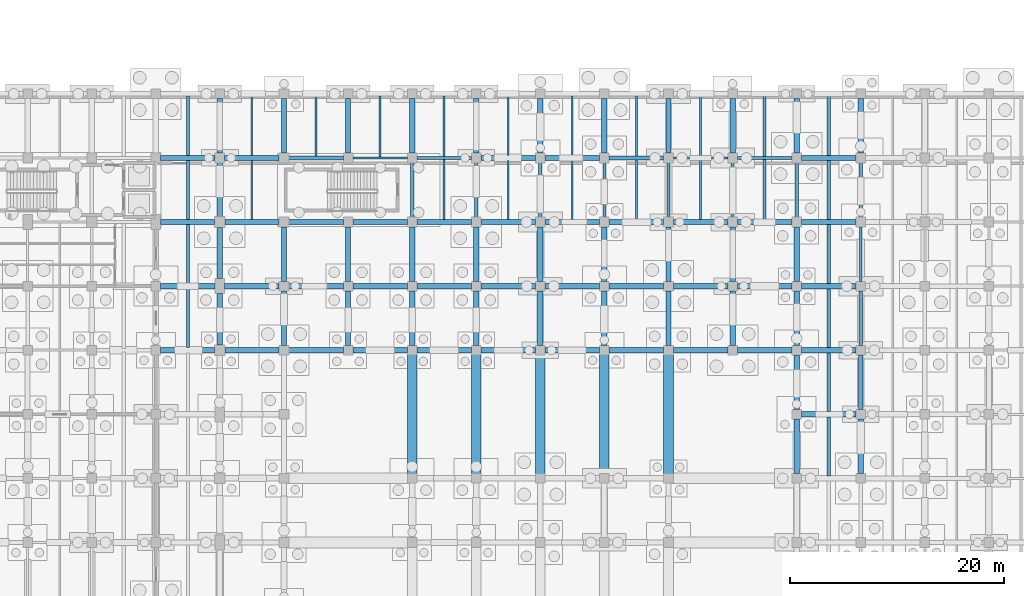
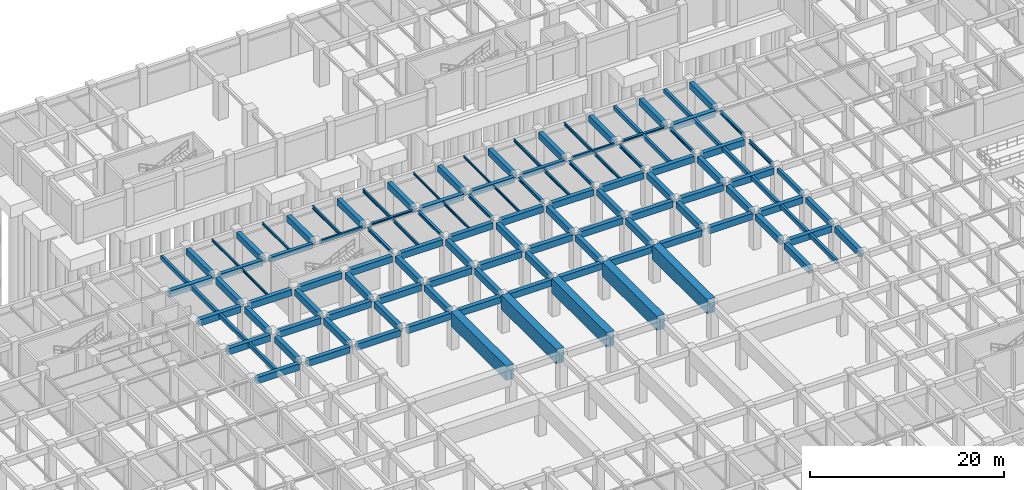
# One storey, part 32 of 54: 122 beams.
"""IFC4 building model written with IfcOpenShell, lengths in metres."""

from ifc_helpers import new_model, si_unit, direction, frame, origin, origin_2d, place, context, subcontext, project, spatial, rectangle, i_section, extrude, material, material_profile, profile_set, type_object, element, save


model = new_model("IFC4")

# Units and contexts
model_context = context("Model", 3, precision=1e-05, world=origin(), true_north=direction((0.0, 1.0)))
body_context = subcontext(model_context, "Body", "Model", "MODEL_VIEW")
ifc_project = project(units=[si_unit("LENGTHUNIT", "METRE"), si_unit("AREAUNIT", "SQUARE_METRE"), si_unit("VOLUMEUNIT", "CUBIC_METRE"), si_unit("PLANEANGLEUNIT", "RADIAN"), si_unit("MASSUNIT", "GRAM", prefix="KILO"), si_unit("THERMODYNAMICTEMPERATUREUNIT", "KELVIN"), si_unit("POWERUNIT", "WATT")], contexts=[model_context])

# Site, building, storey
site_placement = place(None, origin())
site = spatial("IfcSite", under=ifc_project, at=site_placement, CompositionType="ELEMENT")
building_placement = place(site_placement, origin())
building = spatial("IfcBuilding", under=site, at=building_placement, Name="Phaisarnlok Congress Hotel", CompositionType="ELEMENT")
storey_placement = place(building_placement, frame((0.0, 0.0, -4.800048828125)))
storey = spatial("IfcBuildingStorey", under=building, at=storey_placement, Name="B01", CompositionType="ELEMENT", Elevation=-4.800048828125)

# Beams
ifc_material_1 = material(Name="Concrete C40/50", Category="concrete")
ifc_material_profile_1 = material_profile(ifc_material_1, rectangle(XDim=0.35009765625, YDim=0.550048828125, at=origin_2d()), Name="RC 350x550")
ifc_profile_set_1 = profile_set([ifc_material_profile_1], Name="Concrete C40/50")
beam_type_1 = type_object("IfcBeamType", Name="BM-RC-350x550", PredefinedType="BEAM", material=ifc_profile_set_1)
beam_1_placement = place(storey_placement, frame((126.0, 72.445068359375, 4.22509765625), z_axis=(0.0, 1.0, 0.0), x_axis=(-1.0, 0.0, 0.0)))
element("IfcBeam", 1, at=beam_1_placement, inside=storey, type_object=beam_type_1, Name="Beam B-01", PredefinedType="BEAM", context=body_context, shape_type="SweptSolid", body=[
    extrude(rectangle(XDim=0.35009765625, YDim=0.550048828125, at=origin_2d()), origin(), (0.0, 0.0, 1.0), 5.10986328125),
])
ifc_material_profile_2 = material_profile(ifc_material_1, rectangle(XDim=0.39990234375, YDim=0.60009765625, at=origin_2d()), Name="RC 400x600")
ifc_profile_set_2 = profile_set([ifc_material_profile_2], Name="Concrete C40/50")
beam_type_2 = type_object("IfcBeamType", Name="BM-RC-400x600", PredefinedType="BEAM", material=ifc_profile_set_2)
for number, where, z_axis, x_axis, name in (
    (2, (72.445068359375, 90.0, 4.199951171875), (1.0, 0.0, 0.0), (0.0, 1.0, 0.0), "Beam B-02"),
    (3, (102.445068359375, 90.0, 4.199951171875), (1.0, 0.0, 0.0), (0.0, 1.0, 0.0), "Beam B-02"),
):
    element("IfcBeam", number, at=place(storey_placement, frame(where, z_axis=z_axis, x_axis=x_axis)), inside=storey, type_object=beam_type_2, Name=name, PredefinedType="BEAM", context=body_context, shape_type="SweptSolid", body=[
        extrude(rectangle(XDim=0.39990234375, YDim=0.60009765625, at=origin_2d()), origin(), (0.0, 0.0, 1.0), 5.10986328125),
    ])
ifc_material_profile_3 = material_profile(ifc_material_1, rectangle(XDim=0.449951171875, YDim=0.699951171875, at=origin_2d()), Name="RC 450x700")
ifc_profile_set_3 = profile_set([ifc_material_profile_3], Name="Concrete C40/50")
beam_type_3 = type_object("IfcBeamType", Name="BM-RC-450x700", PredefinedType="BEAM", material=ifc_profile_set_3)
for number, where, z_axis, x_axis, name in (
    (4, (66.445068359375, 90.0, 4.150146484375), (1.0, 0.0, 0.0), (0.0, 1.0, 0.0), "Beam B-03"),
    (5, (96.445068359375, 90.0, 4.150146484375), (1.0, 0.0, 0.0), (0.0, 1.0, 0.0), "Beam B-03"),
    (6, (126.0, 66.445068359375, 4.150146484375), (0.0, 1.0, 0.0), (-1.0, 0.0, 0.0), "Beam B-03"),
):
    element("IfcBeam", number, at=place(storey_placement, frame(where, z_axis=z_axis, x_axis=x_axis)), inside=storey, type_object=beam_type_3, Name=name, PredefinedType="BEAM", context=body_context, shape_type="SweptSolid", body=[
        extrude(rectangle(XDim=0.449951171875, YDim=0.699951171875, at=origin_2d()), origin(), (0.0, 0.0, 1.0), 5.10986328125),
    ])
ifc_material_profile_4 = material_profile(ifc_material_1, rectangle(XDim=0.5, YDim=0.800048828125, at=origin_2d()), Name="RC 500x800")
ifc_profile_set_4 = profile_set([ifc_material_profile_4], Name="Concrete C40/50")
beam_type_4 = type_object("IfcBeamType", Name="BM-RC-500x800", PredefinedType="BEAM", material=ifc_profile_set_4)
beam_2_placement = place(storey_placement, frame((60.445068359375, 72.0, 4.10009765625), z_axis=(1.0, 0.0, 0.0), x_axis=(0.0, 1.0, 0.0)))
element("IfcBeam", 7, at=beam_2_placement, inside=storey, type_object=beam_type_4, Name="Beam B-04", PredefinedType="BEAM", context=body_context, shape_type="SweptSolid", body=[
    extrude(rectangle(XDim=0.5, YDim=0.800048828125, at=origin_2d()), origin(), (0.0, 0.0, 1.0), 5.059814453125),
])
beam_3_placement = place(storey_placement, frame((60.445068359375, 78.0, 4.10009765625), z_axis=(1.0, 0.0, 0.0), x_axis=(0.0, 1.0, 0.0)))
element("IfcBeam", 8, at=beam_3_placement, inside=storey, type_object=beam_type_4, Name="Beam B-04", PredefinedType="BEAM", context=body_context, shape_type="SweptSolid", body=[
    extrude(rectangle(XDim=0.5, YDim=0.800048828125, at=origin_2d()), origin(), (0.0, 0.0, 1.0), 5.10986328125),
])
beam_4_placement = place(storey_placement, frame((60.445068359375, 84.0, 4.10009765625), z_axis=(1.0, 0.0, 0.0), x_axis=(0.0, 1.0, 0.0)))
element("IfcBeam", 9, at=beam_4_placement, inside=storey, type_object=beam_type_4, Name="Beam B-04", PredefinedType="BEAM", context=body_context, shape_type="SweptSolid", body=[
    extrude(rectangle(XDim=0.5, YDim=0.800048828125, at=origin_2d()), origin(), (0.0, 0.0, 1.0), 5.059814453125),
])
beam_5_placement = place(storey_placement, frame((60.445068359375, 90.0, 4.10009765625), z_axis=(1.0, 0.0, 0.0), x_axis=(0.0, 1.0, 0.0)))
element("IfcBeam", 10, at=beam_5_placement, inside=storey, type_object=beam_type_4, Name="Beam B-04", PredefinedType="BEAM", context=body_context, shape_type="SweptSolid", body=[
    extrude(rectangle(XDim=0.5, YDim=0.800048828125, at=origin_2d()), origin(), (0.0, 0.0, 1.0), 5.10986328125),
])
beam_6_placement = place(storey_placement, frame((66.4951171875, 72.0, 4.150146484375), z_axis=(1.0, 0.0, 0.0), x_axis=(0.0, 1.0, 0.0)))
element("IfcBeam", 11, at=beam_6_placement, inside=storey, type_object=beam_type_4, Name="Beam B-04", PredefinedType="BEAM", context=body_context, shape_type="SweptSolid", body=[
    extrude(rectangle(XDim=0.5, YDim=0.800048828125, at=origin_2d()), origin(), (0.0, 0.0, 1.0), 5.059814453125),
])
beam_7_placement = place(storey_placement, frame((66.0, 72.4951171875, 4.10009765625), z_axis=(0.0, 1.0, 0.0), x_axis=(-1.0, 0.0, 0.0)))
element("IfcBeam", 12, at=beam_7_placement, inside=storey, type_object=beam_type_4, Name="Beam B-04", PredefinedType="BEAM", context=body_context, shape_type="SweptSolid", body=[
    extrude(rectangle(XDim=0.5, YDim=0.800048828125, at=origin_2d()), origin(), (0.0, 0.0, 1.0), 4.809814453125),
])
beam_8_placement = place(storey_placement, frame((66.445068359375, 78.0, 4.150146484375), z_axis=(1.0, 0.0, 0.0), x_axis=(0.0, 1.0, 0.0)))
element("IfcBeam", 13, at=beam_8_placement, inside=storey, type_object=beam_type_4, Name="Beam B-04", PredefinedType="BEAM", context=body_context, shape_type="SweptSolid", body=[
    extrude(rectangle(XDim=0.5, YDim=0.800048828125, at=origin_2d()), origin(), (0.0, 0.0, 1.0), 5.10986328125),
])
beam_9_placement = place(storey_placement, frame((66.0, 78.695068359375, 4.10009765625), z_axis=(0.0, 1.0, 0.0), x_axis=(-1.0, 0.0, 0.0)))
element("IfcBeam", 14, at=beam_9_placement, inside=storey, type_object=beam_type_4, Name="Beam B-04", PredefinedType="BEAM", context=body_context, shape_type="SweptSolid", body=[
    extrude(rectangle(XDim=0.5, YDim=0.800048828125, at=origin_2d()), origin(), (0.0, 0.0, 1.0), 4.809814453125),
])
for number, where, z_axis, x_axis, name in (
    (15, (66.4951171875, 84.0, 4.10009765625), (1.0, 0.0, 0.0), (0.0, 1.0, 0.0), "Beam B-04"),
    (16, (66.0, 84.4951171875, 4.10009765625), (0.0, 1.0, 0.0), (-1.0, 0.0, 0.0), "Beam B-04"),
):
    element("IfcBeam", number, at=place(storey_placement, frame(where, z_axis=z_axis, x_axis=x_axis)), inside=storey, type_object=beam_type_4, Name=name, PredefinedType="BEAM", context=body_context, shape_type="SweptSolid", body=[
        extrude(rectangle(XDim=0.5, YDim=0.800048828125, at=origin_2d()), origin(), (0.0, 0.0, 1.0), 5.059814453125),
    ])
for number, where, z_axis, x_axis, name in (
    (17, (66.0, 90.445068359375, 4.10009765625), (0.0, 1.0, 0.0), (-1.0, 0.0, 0.0), "Beam B-04"),
    (18, (72.445068359375, 72.0, 4.150146484375), (1.0, 0.0, 0.0), (0.0, 1.0, 0.0), "Beam B-04"),
    (19, (72.0, 72.445068359375, 4.150146484375), (0.0, 1.0, 0.0), (-1.0, 0.0, 0.0), "Beam B-04"),
    (20, (72.445068359375, 78.0, 4.150146484375), (1.0, 0.0, 0.0), (0.0, 1.0, 0.0), "Beam B-04"),
    (21, (72.0, 78.445068359375, 4.150146484375), (0.0, 1.0, 0.0), (-1.0, 0.0, 0.0), "Beam B-04"),
    (22, (72.445068359375, 84.0, 4.10009765625), (1.0, 0.0, 0.0), (0.0, 1.0, 0.0), "Beam B-04"),
    (23, (72.0, 90.445068359375, 4.10009765625), (0.0, 1.0, 0.0), (-1.0, 0.0, 0.0), "Beam B-04"),
    (24, (78.445068359375, 72.0, 4.150146484375), (1.0, 0.0, 0.0), (0.0, 1.0, 0.0), "Beam B-04"),
    (25, (78.0, 72.445068359375, 4.150146484375), (0.0, 1.0, 0.0), (-1.0, 0.0, 0.0), "Beam B-04"),
    (26, (78.445068359375, 78.0, 4.150146484375), (1.0, 0.0, 0.0), (0.0, 1.0, 0.0), "Beam B-04"),
    (27, (78.0, 78.445068359375, 4.150146484375), (0.0, 1.0, 0.0), (-1.0, 0.0, 0.0), "Beam B-04"),
    (28, (78.445068359375, 84.0, 4.10009765625), (1.0, 0.0, 0.0), (0.0, 1.0, 0.0), "Beam B-04"),
    (29, (78.0, 90.445068359375, 4.10009765625), (0.0, 1.0, 0.0), (-1.0, 0.0, 0.0), "Beam B-04"),
    (30, (84.445068359375, 72.0, 4.150146484375), (1.0, 0.0, 0.0), (0.0, 1.0, 0.0), "Beam B-04"),
    (31, (84.0, 72.445068359375, 4.150146484375), (0.0, 1.0, 0.0), (-1.0, 0.0, 0.0), "Beam B-04"),
    (32, (84.445068359375, 78.0, 4.150146484375), (1.0, 0.0, 0.0), (0.0, 1.0, 0.0), "Beam B-04"),
    (33, (84.0, 78.445068359375, 4.150146484375), (0.0, 1.0, 0.0), (-1.0, 0.0, 0.0), "Beam B-04"),
    (34, (84.445068359375, 84.0, 4.10009765625), (1.0, 0.0, 0.0), (0.0, 1.0, 0.0), "Beam B-04"),
    (35, (84.0, 90.445068359375, 4.10009765625), (0.0, 1.0, 0.0), (-1.0, 0.0, 0.0), "Beam B-04"),
    (36, (90.445068359375, 72.0, 4.150146484375), (1.0, 0.0, 0.0), (0.0, 1.0, 0.0), "Beam B-04"),
    (37, (90.0, 72.445068359375, 4.150146484375), (0.0, 1.0, 0.0), (-1.0, 0.0, 0.0), "Beam B-04"),
    (38, (90.445068359375, 78.0, 4.150146484375), (1.0, 0.0, 0.0), (0.0, 1.0, 0.0), "Beam B-04"),
    (39, (90.0, 78.445068359375, 4.150146484375), (0.0, 1.0, 0.0), (-1.0, 0.0, 0.0), "Beam B-04"),
    (40, (90.445068359375, 84.0, 4.10009765625), (1.0, 0.0, 0.0), (0.0, 1.0, 0.0), "Beam B-04"),
    (41, (90.445068359375, 90.0, 4.10009765625), (1.0, 0.0, 0.0), (0.0, 1.0, 0.0), "Beam B-04"),
    (42, (90.0, 90.445068359375, 4.10009765625), (0.0, 1.0, 0.0), (-1.0, 0.0, 0.0), "Beam B-04"),
    (43, (96.445068359375, 72.0, 4.150146484375), (1.0, 0.0, 0.0), (0.0, 1.0, 0.0), "Beam B-04"),
    (44, (96.0, 72.445068359375, 4.150146484375), (0.0, 1.0, 0.0), (-1.0, 0.0, 0.0), "Beam B-04"),
    (45, (96.445068359375, 78.0, 4.150146484375), (1.0, 0.0, 0.0), (0.0, 1.0, 0.0), "Beam B-04"),
    (46, (96.0, 78.445068359375, 4.150146484375), (0.0, 1.0, 0.0), (-1.0, 0.0, 0.0), "Beam B-04"),
    (47, (96.445068359375, 84.0, 4.10009765625), (1.0, 0.0, 0.0), (0.0, 1.0, 0.0), "Beam B-04"),
    (48, (96.0, 90.445068359375, 4.10009765625), (0.0, 1.0, 0.0), (-1.0, 0.0, 0.0), "Beam B-04"),
    (49, (102.445068359375, 72.0, 4.150146484375), (1.0, 0.0, 0.0), (0.0, 1.0, 0.0), "Beam B-04"),
    (50, (102.0, 72.445068359375, 4.150146484375), (0.0, 1.0, 0.0), (-1.0, 0.0, 0.0), "Beam B-04"),
    (51, (102.445068359375, 78.0, 4.150146484375), (1.0, 0.0, 0.0), (0.0, 1.0, 0.0), "Beam B-04"),
    (52, (102.0, 78.445068359375, 4.150146484375), (0.0, 1.0, 0.0), (-1.0, 0.0, 0.0), "Beam B-04"),
    (53, (102.445068359375, 84.0, 4.10009765625), (1.0, 0.0, 0.0), (0.0, 1.0, 0.0), "Beam B-04"),
    (54, (102.0, 90.445068359375, 4.10009765625), (0.0, 1.0, 0.0), (-1.0, 0.0, 0.0), "Beam B-04"),
    (55, (108.445068359375, 72.0, 4.150146484375), (1.0, 0.0, 0.0), (0.0, 1.0, 0.0), "Beam B-04"),
    (56, (108.0, 72.445068359375, 4.150146484375), (0.0, 1.0, 0.0), (-1.0, 0.0, 0.0), "Beam B-04"),
    (57, (108.445068359375, 78.0, 4.150146484375), (1.0, 0.0, 0.0), (0.0, 1.0, 0.0), "Beam B-04"),
    (58, (108.0, 78.445068359375, 4.150146484375), (0.0, 1.0, 0.0), (-1.0, 0.0, 0.0), "Beam B-04"),
    (59, (108.445068359375, 84.0, 4.10009765625), (1.0, 0.0, 0.0), (0.0, 1.0, 0.0), "Beam B-04"),
    (60, (108.0, 90.445068359375, 4.10009765625), (0.0, 1.0, 0.0), (-1.0, 0.0, 0.0), "Beam B-04"),
    (61, (114.445068359375, 72.0, 4.150146484375), (1.0, 0.0, 0.0), (0.0, 1.0, 0.0), "Beam B-04"),
    (62, (114.0, 72.445068359375, 4.150146484375), (0.0, 1.0, 0.0), (-1.0, 0.0, 0.0), "Beam B-04"),
    (63, (114.445068359375, 78.0, 4.150146484375), (1.0, 0.0, 0.0), (0.0, 1.0, 0.0), "Beam B-04"),
    (64, (114.0, 78.445068359375, 4.150146484375), (0.0, 1.0, 0.0), (-1.0, 0.0, 0.0), "Beam B-04"),
    (65, (114.445068359375, 84.0, 4.10009765625), (1.0, 0.0, 0.0), (0.0, 1.0, 0.0), "Beam B-04"),
    (66, (114.0, 90.445068359375, 4.10009765625), (0.0, 1.0, 0.0), (-1.0, 0.0, 0.0), "Beam B-04"),
    (67, (120.0, 60.445068359375, 4.10009765625), (0.0, 1.0, 0.0), (-1.0, 0.0, 0.0), "Beam B-04"),
    (68, (120.445068359375, 66.0, 4.10009765625), (1.0, 0.0, 0.0), (0.0, 1.0, 0.0), "Beam B-04"),
    (69, (120.0, 66.445068359375, 4.10009765625), (0.0, 1.0, 0.0), (-1.0, 0.0, 0.0), "Beam B-04"),
    (70, (120.445068359375, 72.0, 4.10009765625), (1.0, 0.0, 0.0), (0.0, 1.0, 0.0), "Beam B-04"),
    (71, (120.0, 72.445068359375, 4.10009765625), (0.0, 1.0, 0.0), (-1.0, 0.0, 0.0), "Beam B-04"),
    (72, (120.445068359375, 78.0, 4.10009765625), (1.0, 0.0, 0.0), (0.0, 1.0, 0.0), "Beam B-04"),
    (73, (120.0, 78.445068359375, 4.10009765625), (0.0, 1.0, 0.0), (-1.0, 0.0, 0.0), "Beam B-04"),
    (74, (120.445068359375, 84.0, 4.10009765625), (1.0, 0.0, 0.0), (0.0, 1.0, 0.0), "Beam B-04"),
    (75, (120.445068359375, 90.0, 4.10009765625), (1.0, 0.0, 0.0), (0.0, 1.0, 0.0), "Beam B-04"),
    (76, (120.0, 90.445068359375, 4.10009765625), (0.0, 1.0, 0.0), (-1.0, 0.0, 0.0), "Beam B-04"),
    (77, (126.0, 60.445068359375, 4.10009765625), (0.0, 1.0, 0.0), (-1.0, 0.0, 0.0), "Beam B-04"),
    (78, (126.0, 90.445068359375, 4.10009765625), (0.0, 1.0, 0.0), (-1.0, 0.0, 0.0), "Beam B-04"),
):
    element("IfcBeam", number, at=place(storey_placement, frame(where, z_axis=z_axis, x_axis=x_axis)), inside=storey, type_object=beam_type_4, Name=name, PredefinedType="BEAM", context=body_context, shape_type="SweptSolid", body=[
        extrude(rectangle(XDim=0.5, YDim=0.800048828125, at=origin_2d()), origin(), (0.0, 0.0, 1.0), 5.10986328125),
    ])
ifc_material_2 = material(Name="Steel S355", Category="steel")
ifc_material_profile_5 = material_profile(ifc_material_2, i_section(OverallWidth=0.300048828125, OverallDepth=0.2900390625, WebThickness=0.008544921875, FlangeThickness=0.013916015625, FilletRadius=0.027099609375, at=origin_2d()), Name="HEA 300")
ifc_profile_set_5 = profile_set([ifc_material_profile_5], Name="Steel S355")
beam_type_5 = type_object("IfcBeamType", Name="BM-STL-HEA300", PredefinedType="BEAM", material=ifc_profile_set_5)
for number, where, z_axis, x_axis, name in (
    (79, (84.445068359375, 90.0, 4.35498046875), (1.0, 0.0, 0.0), (0.0, 1.0, 0.0), "Beam SB-05"),
    (80, (114.445068359375, 90.0, 4.35498046875), (1.0, 0.0, 0.0), (0.0, 1.0, 0.0), "Beam SB-05"),
):
    element("IfcBeam", number, at=place(storey_placement, frame(where, z_axis=z_axis, x_axis=x_axis)), inside=storey, type_object=beam_type_5, Name=name, PredefinedType="BEAM", context=body_context, shape_type="SweptSolid", body=[
        extrude(i_section(OverallWidth=0.300048828125, OverallDepth=0.2900390625, WebThickness=0.008544921875, FlangeThickness=0.013916015625, FilletRadius=0.027099609375, at=origin_2d()), origin(), (0.0, 0.0, 1.0), 5.10986328125),
    ])
ifc_material_profile_6 = material_profile(ifc_material_2, i_section(OverallWidth=0.300048828125, OverallDepth=0.340087890625, WebThickness=0.011962890625, FlangeThickness=0.021484375, FilletRadius=0.027099609375, at=origin_2d()), Name="HEB 340")
ifc_profile_set_6 = profile_set([ifc_material_profile_6], Name="Steel S355")
beam_type_6 = type_object("IfcBeamType", Name="BM-STL-HEB340", PredefinedType="BEAM", material=ifc_profile_set_6)
for number, where, z_axis, x_axis, name in (
    (81, (84.0, 84.445068359375, 4.330078125), (0.0, 1.0, 0.0), (-1.0, 0.0, 0.0), "Beam SB-07"),
    (82, (90.0, 84.445068359375, 4.330078125), (0.0, 1.0, 0.0), (-1.0, 0.0, 0.0), "Beam SB-07"),
    (83, (96.0, 84.445068359375, 4.330078125), (0.0, 1.0, 0.0), (-1.0, 0.0, 0.0), "Beam SB-07"),
    (84, (102.0, 84.445068359375, 4.330078125), (0.0, 1.0, 0.0), (-1.0, 0.0, 0.0), "Beam SB-07"),
    (85, (108.0, 84.445068359375, 4.330078125), (0.0, 1.0, 0.0), (-1.0, 0.0, 0.0), "Beam SB-07"),
    (86, (114.0, 84.445068359375, 4.330078125), (0.0, 1.0, 0.0), (-1.0, 0.0, 0.0), "Beam SB-07"),
    (87, (120.0, 84.445068359375, 4.330078125), (0.0, 1.0, 0.0), (-1.0, 0.0, 0.0), "Beam SB-07"),
    (88, (126.0, 84.445068359375, 4.330078125), (0.0, 1.0, 0.0), (-1.0, 0.0, 0.0), "Beam SB-07"),
):
    element("IfcBeam", number, at=place(storey_placement, frame(where, z_axis=z_axis, x_axis=x_axis)), inside=storey, type_object=beam_type_6, Name=name, PredefinedType="BEAM", context=body_context, shape_type="SweptSolid", body=[
        extrude(i_section(OverallWidth=0.300048828125, OverallDepth=0.340087890625, WebThickness=0.011962890625, FlangeThickness=0.021484375, FilletRadius=0.027099609375, at=origin_2d()), origin(), (0.0, 0.0, 1.0), 5.10986328125),
    ])
ifc_material_profile_7 = material_profile(ifc_material_2, i_section(OverallWidth=0.18994140625, OverallDepth=0.449951171875, WebThickness=0.009521484375, FlangeThickness=0.0146484375, FilletRadius=0.02099609375, at=origin_2d()), Name="IPE 450")
ifc_profile_set_7 = profile_set([ifc_material_profile_7], Name="Steel S355")
beam_type_7 = type_object("IfcBeamType", Name="BM-STL-IPE450", PredefinedType="BEAM", material=ifc_profile_set_7)
for number, where, z_axis, x_axis, name in (
    (89, (78.445068359375, 90.0, 4.275146484375), (1.0, 0.0, 0.0), (0.0, 1.0, 0.0), "Beam SB-01"),
    (90, (108.445068359375, 90.0, 4.275146484375), (1.0, 0.0, 0.0), (0.0, 1.0, 0.0), "Beam SB-01"),
):
    element("IfcBeam", number, at=place(storey_placement, frame(where, z_axis=z_axis, x_axis=x_axis)), inside=storey, type_object=beam_type_7, Name=name, PredefinedType="BEAM", context=body_context, shape_type="SweptSolid", body=[
        extrude(i_section(OverallWidth=0.18994140625, OverallDepth=0.449951171875, WebThickness=0.009521484375, FlangeThickness=0.0146484375, FilletRadius=0.02099609375, at=origin_2d()), origin(), (0.0, 0.0, 1.0), 5.10986328125),
    ])
ifc_material_profile_8 = material_profile(ifc_material_2, i_section(OverallWidth=0.199951171875, OverallDepth=0.5, WebThickness=0.01025390625, FlangeThickness=0.01611328125, FilletRadius=0.02099609375, at=origin_2d()), Name="IPE 500")
ifc_profile_set_8 = profile_set([ifc_material_profile_8], Name="Steel S355")
beam_type_8 = type_object("IfcBeamType", Name="BM-STL-IPE500", PredefinedType="BEAM", material=ifc_profile_set_8)
beam_10_placement = place(storey_placement, frame((126.0, 78.445068359375, 4.25), z_axis=(0.0, 1.0, 0.0), x_axis=(-1.0, 0.0, 0.0)))
element("IfcBeam", 91, at=beam_10_placement, inside=storey, type_object=beam_type_8, Name="Beam SB-02", PredefinedType="BEAM", context=body_context, shape_type="SweptSolid", body=[
    extrude(i_section(OverallWidth=0.199951171875, OverallDepth=0.5, WebThickness=0.01025390625, FlangeThickness=0.01611328125, FilletRadius=0.02099609375, at=origin_2d()), origin(), (0.0, 0.0, 1.0), 5.10986328125),
])
ifc_material_profile_9 = material_profile(ifc_material_1, rectangle(XDim=0.300048828125, YDim=0.5, at=origin_2d()), Name="RC 300x500")
ifc_profile_set_9 = profile_set([ifc_material_profile_9], Name="Concrete C40/50")
beam_type_9 = type_object("IfcBeamType", Name="JS-RC-300x500", PredefinedType="JOIST", material=ifc_profile_set_9)
for number, where, z_axis, x_axis, name in (
    (92, (63.0, 72.2451171875, 4.25), (0.0, 1.0, 0.0), (-1.0, 0.0, 0.0), "Secondary floor joist J-01"),
    (93, (63.0, 78.2451171875, 4.25), (0.0, 1.0, 0.0), (-1.0, 0.0, 0.0), "Secondary floor joist J-01"),
    (94, (63.0, 84.2451171875, 4.25), (0.0, 1.0, 0.0), (-1.0, 0.0, 0.0), "Secondary floor joist J-01"),
):
    element("IfcBeam", number, at=place(storey_placement, frame(where, z_axis=z_axis, x_axis=x_axis)), inside=storey, type_object=beam_type_9, Name=name, PredefinedType="JOIST", context=body_context, shape_type="SweptSolid", body=[
        extrude(rectangle(XDim=0.300048828125, YDim=0.5, at=origin_2d()), origin(), (0.0, 0.0, 1.0), 5.509765625),
    ])
beam_11_placement = place(storey_placement, frame((63.0, 90.2451171875, 4.25), z_axis=(0.0, 1.0, 0.0), x_axis=(-1.0, 0.0, 0.0)))
element("IfcBeam", 95, at=beam_11_placement, inside=storey, type_object=beam_type_9, Name="Secondary floor joist J-01", PredefinedType="JOIST", context=body_context, shape_type="SweptSolid", body=[
    extrude(rectangle(XDim=0.300048828125, YDim=0.5, at=origin_2d()), origin(), (0.0, 0.0, 1.0), 5.559814453125),
])
beam_12_placement = place(storey_placement, frame((117.0, 84.2451171875, 4.25), z_axis=(0.0, 1.0, 0.0), x_axis=(-1.0, 0.0, 0.0)))
element("IfcBeam", 96, at=beam_12_placement, inside=storey, type_object=beam_type_9, Name="Secondary floor joist J-01", PredefinedType="JOIST", context=body_context, shape_type="SweptSolid", body=[
    extrude(rectangle(XDim=0.300048828125, YDim=0.5, at=origin_2d()), origin(), (0.0, 0.0, 1.0), 5.60986328125),
])
beam_13_placement = place(storey_placement, frame((117.0, 90.14501953125, 4.25), z_axis=(0.0, 1.0, 0.0), x_axis=(-1.0, 0.0, 0.0)))
element("IfcBeam", 97, at=beam_13_placement, inside=storey, type_object=beam_type_9, Name="Secondary floor joist J-01", PredefinedType="JOIST", context=body_context, shape_type="SweptSolid", body=[
    extrude(rectangle(XDim=0.300048828125, YDim=0.5, at=origin_2d()), origin(), (0.0, 0.0, 1.0), 5.659912109375),
])
for number, where, z_axis, x_axis, name in (
    (98, (123.0, 60.2451171875, 4.25), (0.0, 1.0, 0.0), (-1.0, 0.0, 0.0), "Secondary floor joist J-01"),
    (99, (123.0, 66.2451171875, 4.25), (0.0, 1.0, 0.0), (-1.0, 0.0, 0.0), "Secondary floor joist J-01"),
    (100, (123.0, 72.2451171875, 4.25), (0.0, 1.0, 0.0), (-1.0, 0.0, 0.0), "Secondary floor joist J-01"),
    (101, (123.0, 78.2451171875, 4.25), (0.0, 1.0, 0.0), (-1.0, 0.0, 0.0), "Secondary floor joist J-01"),
    (102, (123.0, 84.2451171875, 4.25), (0.0, 1.0, 0.0), (-1.0, 0.0, 0.0), "Secondary floor joist J-01"),
):
    element("IfcBeam", number, at=place(storey_placement, frame(where, z_axis=z_axis, x_axis=x_axis)), inside=storey, type_object=beam_type_9, Name=name, PredefinedType="JOIST", context=body_context, shape_type="SweptSolid", body=[
        extrude(rectangle(XDim=0.300048828125, YDim=0.5, at=origin_2d()), origin(), (0.0, 0.0, 1.0), 5.509765625),
    ])
beam_14_placement = place(storey_placement, frame((123.0, 90.2451171875, 4.25), z_axis=(0.0, 1.0, 0.0), x_axis=(-1.0, 0.0, 0.0)))
element("IfcBeam", 103, at=beam_14_placement, inside=storey, type_object=beam_type_9, Name="Secondary floor joist J-01", PredefinedType="JOIST", context=body_context, shape_type="SweptSolid", body=[
    extrude(rectangle(XDim=0.300048828125, YDim=0.5, at=origin_2d()), origin(), (0.0, 0.0, 1.0), 5.559814453125),
])
ifc_material_profile_10 = material_profile(ifc_material_2, i_section(OverallWidth=0.135009765625, OverallDepth=0.27001953125, WebThickness=0.006591796875, FlangeThickness=0.01025390625, FilletRadius=0.014892578125, at=origin_2d()), Name="IPE 270")
ifc_profile_set_10 = profile_set([ifc_material_profile_10], Name="Steel S355")
beam_type_10 = type_object("IfcBeamType", Name="JS-STL-IPE270", PredefinedType="JOIST", material=ifc_profile_set_10)
beam_15_placement = place(storey_placement, frame((93.0, 84.2451171875, 4.364990234375), z_axis=(0.0, 1.0, 0.0), x_axis=(-1.0, 0.0, 0.0)))
element("IfcBeam", 104, at=beam_15_placement, inside=storey, type_object=beam_type_10, Name="Secondary floor joist J-02", PredefinedType="JOIST", context=body_context, shape_type="SweptSolid", body=[
    extrude(i_section(OverallWidth=0.135009765625, OverallDepth=0.27001953125, WebThickness=0.006591796875, FlangeThickness=0.01025390625, FilletRadius=0.014892578125, at=origin_2d()), origin(), (0.0, 0.0, 1.0), 5.509765625),
])
beam_16_placement = place(storey_placement, frame((93.0, 90.2451171875, 4.364990234375), z_axis=(0.0, 1.0, 0.0), x_axis=(-1.0, 0.0, 0.0)))
element("IfcBeam", 105, at=beam_16_placement, inside=storey, type_object=beam_type_10, Name="Secondary floor joist J-02", PredefinedType="JOIST", context=body_context, shape_type="SweptSolid", body=[
    extrude(i_section(OverallWidth=0.135009765625, OverallDepth=0.27001953125, WebThickness=0.006591796875, FlangeThickness=0.01025390625, FilletRadius=0.014892578125, at=origin_2d()), origin(), (0.0, 0.0, 1.0), 5.559814453125),
])
beam_17_placement = place(storey_placement, frame((99.0, 84.2451171875, 4.364990234375), z_axis=(0.0, 1.0, 0.0), x_axis=(-1.0, 0.0, 0.0)))
element("IfcBeam", 106, at=beam_17_placement, inside=storey, type_object=beam_type_10, Name="Secondary floor joist J-02", PredefinedType="JOIST", context=body_context, shape_type="SweptSolid", body=[
    extrude(i_section(OverallWidth=0.135009765625, OverallDepth=0.27001953125, WebThickness=0.006591796875, FlangeThickness=0.01025390625, FilletRadius=0.014892578125, at=origin_2d()), origin(), (0.0, 0.0, 1.0), 5.534912109375),
])
beam_18_placement = place(storey_placement, frame((99.0, 90.219970703125, 4.364990234375), z_axis=(0.0, 1.0, 0.0), x_axis=(-1.0, 0.0, 0.0)))
element("IfcBeam", 107, at=beam_18_placement, inside=storey, type_object=beam_type_10, Name="Secondary floor joist J-02", PredefinedType="JOIST", context=body_context, shape_type="SweptSolid", body=[
    extrude(i_section(OverallWidth=0.135009765625, OverallDepth=0.27001953125, WebThickness=0.006591796875, FlangeThickness=0.01025390625, FilletRadius=0.014892578125, at=origin_2d()), origin(), (0.0, 0.0, 1.0), 5.5849609375),
])
ifc_material_profile_11 = material_profile(ifc_material_2, i_section(OverallWidth=0.14990234375, OverallDepth=0.300048828125, WebThickness=0.007080078125, FlangeThickness=0.0107421875, FilletRadius=0.014892578125, at=origin_2d()), Name="IPE 300")
ifc_profile_set_11 = profile_set([ifc_material_profile_11], Name="Steel S355")
beam_type_11 = type_object("IfcBeamType", Name="JS-STL-IPE300", PredefinedType="JOIST", material=ifc_profile_set_11)
beam_19_placement = place(storey_placement, frame((69.0, 84.2451171875, 4.35009765625), z_axis=(0.0, 1.0, 0.0), x_axis=(-1.0, 0.0, 0.0)))
element("IfcBeam", 108, at=beam_19_placement, inside=storey, type_object=beam_type_11, Name="Secondary floor joist J-03", PredefinedType="JOIST", context=body_context, shape_type="SweptSolid", body=[
    extrude(i_section(OverallWidth=0.14990234375, OverallDepth=0.300048828125, WebThickness=0.007080078125, FlangeThickness=0.0107421875, FilletRadius=0.014892578125, at=origin_2d()), origin(), (0.0, 0.0, 1.0), 5.534912109375),
])
beam_20_placement = place(storey_placement, frame((69.0, 90.219970703125, 4.35009765625), z_axis=(0.0, 1.0, 0.0), x_axis=(-1.0, 0.0, 0.0)))
element("IfcBeam", 109, at=beam_20_placement, inside=storey, type_object=beam_type_11, Name="Secondary floor joist J-03", PredefinedType="JOIST", context=body_context, shape_type="SweptSolid", body=[
    extrude(i_section(OverallWidth=0.14990234375, OverallDepth=0.300048828125, WebThickness=0.007080078125, FlangeThickness=0.0107421875, FilletRadius=0.014892578125, at=origin_2d()), origin(), (0.0, 0.0, 1.0), 5.5849609375),
])
beam_21_placement = place(storey_placement, frame((75.0, 90.195068359375, 4.35009765625), z_axis=(0.0, 1.0, 0.0), x_axis=(-1.0, 0.0, 0.0)))
element("IfcBeam", 110, at=beam_21_placement, inside=storey, type_object=beam_type_11, Name="Secondary floor joist J-03", PredefinedType="JOIST", context=body_context, shape_type="SweptSolid", body=[
    extrude(i_section(OverallWidth=0.14990234375, OverallDepth=0.300048828125, WebThickness=0.007080078125, FlangeThickness=0.0107421875, FilletRadius=0.014892578125, at=origin_2d()), origin(), (0.0, 0.0, 1.0), 5.60986328125),
])
ifc_material_profile_12 = material_profile(ifc_material_2, i_section(OverallWidth=0.169921875, OverallDepth=0.360107421875, WebThickness=0.008056640625, FlangeThickness=0.0126953125, FilletRadius=0.01806640625, at=origin_2d()), Name="IPE 360")
ifc_profile_set_12 = profile_set([ifc_material_profile_12], Name="Steel S355")
beam_type_12 = type_object("IfcBeamType", Name="JS-STL-IPE360", PredefinedType="JOIST", material=ifc_profile_set_12)
beam_22_placement = place(storey_placement, frame((105.0, 84.2451171875, 4.320068359375), z_axis=(0.0, 1.0, 0.0), x_axis=(-1.0, 0.0, 0.0)))
element("IfcBeam", 111, at=beam_22_placement, inside=storey, type_object=beam_type_12, Name="Secondary floor joist J-04", PredefinedType="JOIST", context=body_context, shape_type="SweptSolid", body=[
    extrude(i_section(OverallWidth=0.169921875, OverallDepth=0.360107421875, WebThickness=0.008056640625, FlangeThickness=0.0126953125, FilletRadius=0.01806640625, at=origin_2d()), origin(), (0.0, 0.0, 1.0), 5.559814453125),
])
beam_23_placement = place(storey_placement, frame((105.0, 90.195068359375, 4.320068359375), z_axis=(0.0, 1.0, 0.0), x_axis=(-1.0, 0.0, 0.0)))
element("IfcBeam", 112, at=beam_23_placement, inside=storey, type_object=beam_type_12, Name="Secondary floor joist J-04", PredefinedType="JOIST", context=body_context, shape_type="SweptSolid", body=[
    extrude(i_section(OverallWidth=0.169921875, OverallDepth=0.360107421875, WebThickness=0.008056640625, FlangeThickness=0.0126953125, FilletRadius=0.01806640625, at=origin_2d()), origin(), (0.0, 0.0, 1.0), 5.60986328125),
])
beam_24_placement = place(storey_placement, frame((111.0, 84.2451171875, 4.320068359375), z_axis=(0.0, 1.0, 0.0), x_axis=(-1.0, 0.0, 0.0)))
element("IfcBeam", 113, at=beam_24_placement, inside=storey, type_object=beam_type_12, Name="Secondary floor joist J-04", PredefinedType="JOIST", context=body_context, shape_type="SweptSolid", body=[
    extrude(i_section(OverallWidth=0.169921875, OverallDepth=0.360107421875, WebThickness=0.008056640625, FlangeThickness=0.0126953125, FilletRadius=0.01806640625, at=origin_2d()), origin(), (0.0, 0.0, 1.0), 5.664794921875),
])
beam_25_placement = place(storey_placement, frame((111.0, 90.090087890625, 4.320068359375), z_axis=(0.0, 1.0, 0.0), x_axis=(-1.0, 0.0, 0.0)))
element("IfcBeam", 114, at=beam_25_placement, inside=storey, type_object=beam_type_12, Name="Secondary floor joist J-04", PredefinedType="JOIST", context=body_context, shape_type="SweptSolid", body=[
    extrude(i_section(OverallWidth=0.169921875, OverallDepth=0.360107421875, WebThickness=0.008056640625, FlangeThickness=0.0126953125, FilletRadius=0.01806640625, at=origin_2d()), origin(), (0.0, 0.0, 1.0), 5.71484375),
])
ifc_material_profile_13 = material_profile(ifc_material_2, i_section(OverallWidth=0.179931640625, OverallDepth=0.39990234375, WebThickness=0.008544921875, FlangeThickness=0.013427734375, FilletRadius=0.02099609375, at=origin_2d()), Name="IPE 400")
ifc_profile_set_13 = profile_set([ifc_material_profile_13], Name="Steel S355")
beam_type_13 = type_object("IfcBeamType", Name="JS-STL-IPE400", PredefinedType="JOIST", material=ifc_profile_set_13)
beam_26_placement = place(storey_placement, frame((81.0, 90.090087890625, 4.300048828125), z_axis=(0.0, 1.0, 0.0), x_axis=(-1.0, 0.0, 0.0)))
element("IfcBeam", 115, at=beam_26_placement, inside=storey, type_object=beam_type_13, Name="Secondary floor joist J-05", PredefinedType="JOIST", context=body_context, shape_type="SweptSolid", body=[
    extrude(i_section(OverallWidth=0.179931640625, OverallDepth=0.39990234375, WebThickness=0.008544921875, FlangeThickness=0.013427734375, FilletRadius=0.02099609375, at=origin_2d()), origin(), (0.0, 0.0, 1.0), 5.71484375),
])
beam_27_placement = place(storey_placement, frame((87.0, 84.2451171875, 4.300048828125), z_axis=(0.0, 1.0, 0.0), x_axis=(-1.0, 0.0, 0.0)))
element("IfcBeam", 116, at=beam_27_placement, inside=storey, type_object=beam_type_13, Name="Secondary floor joist J-05", PredefinedType="JOIST", context=body_context, shape_type="SweptSolid", body=[
    extrude(i_section(OverallWidth=0.179931640625, OverallDepth=0.39990234375, WebThickness=0.008544921875, FlangeThickness=0.013427734375, FilletRadius=0.02099609375, at=origin_2d()), origin(), (0.0, 0.0, 1.0), 5.60986328125),
])
beam_28_placement = place(storey_placement, frame((87.0, 90.14501953125, 4.300048828125), z_axis=(0.0, 1.0, 0.0), x_axis=(-1.0, 0.0, 0.0)))
element("IfcBeam", 117, at=beam_28_placement, inside=storey, type_object=beam_type_13, Name="Secondary floor joist J-05", PredefinedType="JOIST", context=body_context, shape_type="SweptSolid", body=[
    extrude(i_section(OverallWidth=0.179931640625, OverallDepth=0.39990234375, WebThickness=0.008544921875, FlangeThickness=0.013427734375, FilletRadius=0.02099609375, at=origin_2d()), origin(), (0.0, 0.0, 1.0), 5.659912109375),
])
ifc_material_3 = material(Name="Concrete C50/60", Category="concrete")
ifc_material_profile_14 = material_profile(ifc_material_3, rectangle(XDim=0.89990234375, YDim=1.800048828125, at=origin_2d()), Name="RC 900x1800")
ifc_profile_set_14 = profile_set([ifc_material_profile_14], Name="Concrete C50/60")
beam_type_14 = type_object("IfcBeamType", Name="TG-RC-900x1800", PredefinedType="BEAM", material=ifc_profile_set_14)
for number, where, z_axis, x_axis, name in (
    (118, (84.0, 60.300048828125, 3.900146484375), (0.0, 1.0, 0.0), (-1.0, 0.0, 0.0), "Car-park loop 12m transfer girder TG-03"),
    (119, (90.0, 60.300048828125, 3.900146484375), (0.0, 1.0, 0.0), (-1.0, 0.0, 0.0), "Car-park loop 12m transfer girder TG-03"),
    (120, (96.0, 60.300048828125, 3.900146484375), (0.0, 1.0, 0.0), (-1.0, 0.0, 0.0), "Car-park loop 12m transfer girder TG-03"),
    (121, (102.0, 60.300048828125, 3.900146484375), (0.0, 1.0, 0.0), (-1.0, 0.0, 0.0), "Car-park loop 12m transfer girder TG-03"),
    (122, (108.0, 60.300048828125, 3.900146484375), (0.0, 1.0, 0.0), (-1.0, 0.0, 0.0), "Car-park loop 12m transfer girder TG-03"),
):
    element("IfcBeam", number, at=place(storey_placement, frame(where, z_axis=z_axis, x_axis=x_axis)), inside=storey, type_object=beam_type_14, Name=name, PredefinedType="BEAM", context=body_context, shape_type="SweptSolid", body=[
        extrude(rectangle(XDim=0.89990234375, YDim=1.800048828125, at=origin_2d()), origin(), (0.0, 0.0, 1.0), 11.39990234375),
    ])

save(model, "model.ifc")
